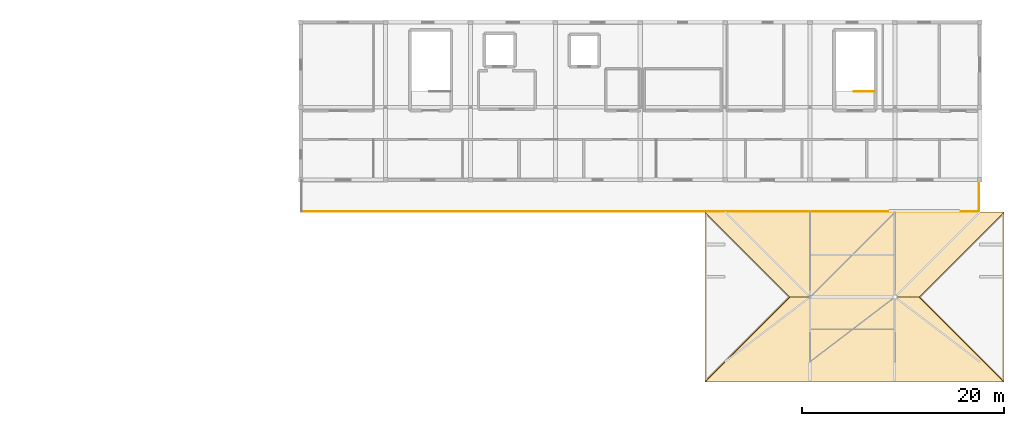
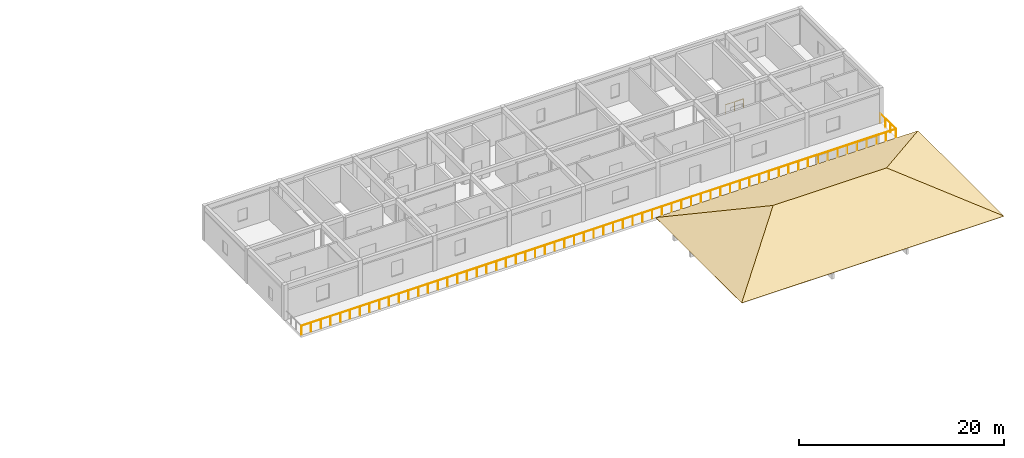
# One storey, part 22 of 22: 4 coverings, 2 railings, 1 element without a shape of its own.
"""IFC4 building model written with IfcOpenShell, lengths in metres."""

from ifc_helpers import new_model, si_unit, direction, frame, origin, origin_2d, place, context, subcontext, project, spatial, polyline, circle, outline, extrude, material, layer, layer_set, type_object, element, aggregate, save


model = new_model("IFC4")

# Units and contexts
model_context = context("Model", 3, precision=1e-05, world=origin(), true_north=direction((0.0, 1.0)))
body_context = subcontext(model_context, "Body", "Model", "MODEL_VIEW")
ifc_project = project(units=[si_unit("LENGTHUNIT", "METRE"), si_unit("AREAUNIT", "SQUARE_METRE"), si_unit("VOLUMEUNIT", "CUBIC_METRE"), si_unit("PLANEANGLEUNIT", "RADIAN"), si_unit("MASSUNIT", "GRAM", prefix="KILO")], contexts=[model_context])

# Site, building, storey
site_placement = place(None, origin())
site = spatial("IfcSite", under=ifc_project, at=site_placement, CompositionType="ELEMENT")
building_placement = place(site_placement, origin())
building = spatial("IfcBuilding", under=site, at=building_placement, Name="Varncliffe General Hospital", CompositionType="ELEMENT")
storey_placement = place(building_placement, frame((0.0, 0.0, 33.0)))
storey = spatial("IfcBuildingStorey", under=building, at=storey_placement, Name="L07", CompositionType="ELEMENT", Elevation=33.0)

# Railings
ifc_material_1 = material(Name="Powder-coated wrought-iron and bronze balustrade", Category="steel")
railing_type_1 = type_object("IfcRailingType", Name="Spanish Colonial Wrought-Iron Terrace Balustrade BL44", PredefinedType="BALUSTRADE", material=ifc_material_1)
railing_1_placement = place(storey_placement, frame((109.260009765625, 106.06005859375, 0.0)))
element("IfcRailing", 1, at=railing_1_placement, inside=storey, type_object=railing_type_1, Name="L07 East Step-3 Healing Roof Terrace Balustrade 14", PredefinedType="BALUSTRADE", context=body_context, shape_type="SweptSolid", body=[
    extrude(circle(Radius=0.02392578125, at=origin_2d()), frame((0.0, 0.0, 1.076171875), z_axis=(1.0, 0.0, 0.0), x_axis=(0.0, 1.0, 0.0)), (0.0, 0.0, 1.0), 67.080078125),
    extrude(circle(Radius=0.02392578125, at=origin_2d()), frame((67.080078125, 0.0, 1.076171875), z_axis=(0.0, 1.0, 0.0), x_axis=(-1.0, 0.0, 0.0)), (0.0, 0.0, 1.0), 3.06005859375),
    extrude(circle(Radius=0.02099609375, at=origin_2d()), origin(), (0.0, 0.0, 1.0), 1.052001953125),
    extrude(circle(Radius=0.02099609375, at=origin_2d()), frame((1.099609375, 0.0, 0.0)), (0.0, 0.0, 1.0), 1.052001953125),
    extrude(circle(Radius=0.02099609375, at=origin_2d()), frame((2.199462890625, 0.0, 0.0)), (0.0, 0.0, 1.0), 1.052001953125),
    extrude(circle(Radius=0.02099609375, at=origin_2d()), frame((3.299072265625, 0.0, 0.0)), (0.0, 0.0, 1.0), 1.052001953125),
    extrude(circle(Radius=0.02099609375, at=origin_2d()), frame((4.398681640625, 0.0, 0.0)), (0.0, 0.0, 1.0), 1.052001953125),
    extrude(circle(Radius=0.02099609375, at=origin_2d()), frame((5.498291015625, 0.0, 0.0)), (0.0, 0.0, 1.0), 1.052001953125),
    extrude(circle(Radius=0.02099609375, at=origin_2d()), frame((6.59814453125, 0.0, 0.0)), (0.0, 0.0, 1.0), 1.052001953125),
    extrude(circle(Radius=0.02099609375, at=origin_2d()), frame((7.69775390625, 0.0, 0.0)), (0.0, 0.0, 1.0), 1.052001953125),
    extrude(circle(Radius=0.02099609375, at=origin_2d()), frame((8.79736328125, 0.0, 0.0)), (0.0, 0.0, 1.0), 1.052001953125),
    extrude(circle(Radius=0.02099609375, at=origin_2d()), frame((9.89697265625, 0.0, 0.0)), (0.0, 0.0, 1.0), 1.052001953125),
    extrude(circle(Radius=0.02099609375, at=origin_2d()), frame((10.996826171875, 0.0, 0.0)), (0.0, 0.0, 1.0), 1.052001953125),
    extrude(circle(Radius=0.02099609375, at=origin_2d()), frame((12.096435546875, 0.0, 0.0)), (0.0, 0.0, 1.0), 1.052001953125),
    extrude(circle(Radius=0.02099609375, at=origin_2d()), frame((13.196044921875, 0.0, 0.0)), (0.0, 0.0, 1.0), 1.052001953125),
    extrude(circle(Radius=0.02099609375, at=origin_2d()), frame((14.295654296875, 0.0, 0.0)), (0.0, 0.0, 1.0), 1.052001953125),
    extrude(circle(Radius=0.02099609375, at=origin_2d()), frame((15.3955078125, 0.0, 0.0)), (0.0, 0.0, 1.0), 1.052001953125),
    extrude(circle(Radius=0.02099609375, at=origin_2d()), frame((16.4951171875, 0.0, 0.0)), (0.0, 0.0, 1.0), 1.052001953125),
    extrude(circle(Radius=0.02099609375, at=origin_2d()), frame((17.5947265625, 0.0, 0.0)), (0.0, 0.0, 1.0), 1.052001953125),
    extrude(circle(Radius=0.02099609375, at=origin_2d()), frame((18.6943359375, 0.0, 0.0)), (0.0, 0.0, 1.0), 1.052001953125),
    extrude(circle(Radius=0.02099609375, at=origin_2d()), frame((19.794189453125, 0.0, 0.0)), (0.0, 0.0, 1.0), 1.052001953125),
    extrude(circle(Radius=0.02099609375, at=origin_2d()), frame((20.893798828125, 0.0, 0.0)), (0.0, 0.0, 1.0), 1.052001953125),
    extrude(circle(Radius=0.02099609375, at=origin_2d()), frame((21.993408203125, 0.0, 0.0)), (0.0, 0.0, 1.0), 1.052001953125),
    extrude(circle(Radius=0.02099609375, at=origin_2d()), frame((23.09326171875, 0.0, 0.0)), (0.0, 0.0, 1.0), 1.052001953125),
    extrude(circle(Radius=0.02099609375, at=origin_2d()), frame((24.19287109375, 0.0, 0.0)), (0.0, 0.0, 1.0), 1.052001953125),
    extrude(circle(Radius=0.02099609375, at=origin_2d()), frame((25.29248046875, 0.0, 0.0)), (0.0, 0.0, 1.0), 1.052001953125),
    extrude(circle(Radius=0.02099609375, at=origin_2d()), frame((26.39208984375, 0.0, 0.0)), (0.0, 0.0, 1.0), 1.052001953125),
    extrude(circle(Radius=0.02099609375, at=origin_2d()), frame((27.491943359375, 0.0, 0.0)), (0.0, 0.0, 1.0), 1.052001953125),
    extrude(circle(Radius=0.02099609375, at=origin_2d()), frame((28.591552734375, 0.0, 0.0)), (0.0, 0.0, 1.0), 1.052001953125),
    extrude(circle(Radius=0.02099609375, at=origin_2d()), frame((29.691162109375, 0.0, 0.0)), (0.0, 0.0, 1.0), 1.052001953125),
    extrude(circle(Radius=0.02099609375, at=origin_2d()), frame((30.790771484375, 0.0, 0.0)), (0.0, 0.0, 1.0), 1.052001953125),
    extrude(circle(Radius=0.02099609375, at=origin_2d()), frame((31.890625, 0.0, 0.0)), (0.0, 0.0, 1.0), 1.052001953125),
    extrude(circle(Radius=0.02099609375, at=origin_2d()), frame((32.990234375, 0.0, 0.0)), (0.0, 0.0, 1.0), 1.052001953125),
    extrude(circle(Radius=0.02099609375, at=origin_2d()), frame((34.08984375, 0.0, 0.0)), (0.0, 0.0, 1.0), 1.052001953125),
    extrude(circle(Radius=0.02099609375, at=origin_2d()), frame((35.189453125, 0.0, 0.0)), (0.0, 0.0, 1.0), 1.052001953125),
    extrude(circle(Radius=0.02099609375, at=origin_2d()), frame((36.289306640625, 0.0, 0.0)), (0.0, 0.0, 1.0), 1.052001953125),
    extrude(circle(Radius=0.02099609375, at=origin_2d()), frame((37.388916015625, 0.0, 0.0)), (0.0, 0.0, 1.0), 1.052001953125),
    extrude(circle(Radius=0.02099609375, at=origin_2d()), frame((38.488525390625, 0.0, 0.0)), (0.0, 0.0, 1.0), 1.052001953125),
    extrude(circle(Radius=0.02099609375, at=origin_2d()), frame((39.588134765625, 0.0, 0.0)), (0.0, 0.0, 1.0), 1.052001953125),
    extrude(circle(Radius=0.02099609375, at=origin_2d()), frame((40.68798828125, 0.0, 0.0)), (0.0, 0.0, 1.0), 1.052001953125),
    extrude(circle(Radius=0.02099609375, at=origin_2d()), frame((41.78759765625, 0.0, 0.0)), (0.0, 0.0, 1.0), 1.052001953125),
    extrude(circle(Radius=0.02099609375, at=origin_2d()), frame((42.88720703125, 0.0, 0.0)), (0.0, 0.0, 1.0), 1.052001953125),
    extrude(circle(Radius=0.02099609375, at=origin_2d()), frame((43.98681640625, 0.0, 0.0)), (0.0, 0.0, 1.0), 1.052001953125),
    extrude(circle(Radius=0.02099609375, at=origin_2d()), frame((45.086669921875, 0.0, 0.0)), (0.0, 0.0, 1.0), 1.052001953125),
    extrude(circle(Radius=0.02099609375, at=origin_2d()), frame((46.186279296875, 0.0, 0.0)), (0.0, 0.0, 1.0), 1.052001953125),
    extrude(circle(Radius=0.02099609375, at=origin_2d()), frame((47.285888671875, 0.0, 0.0)), (0.0, 0.0, 1.0), 1.052001953125),
    extrude(circle(Radius=0.02099609375, at=origin_2d()), frame((48.3857421875, 0.0, 0.0)), (0.0, 0.0, 1.0), 1.052001953125),
    extrude(circle(Radius=0.02099609375, at=origin_2d()), frame((49.4853515625, 0.0, 0.0)), (0.0, 0.0, 1.0), 1.052001953125),
    extrude(circle(Radius=0.02099609375, at=origin_2d()), frame((50.5849609375, 0.0, 0.0)), (0.0, 0.0, 1.0), 1.052001953125),
    extrude(circle(Radius=0.02099609375, at=origin_2d()), frame((51.6845703125, 0.0, 0.0)), (0.0, 0.0, 1.0), 1.052001953125),
    extrude(circle(Radius=0.02099609375, at=origin_2d()), frame((52.784423828125, 0.0, 0.0)), (0.0, 0.0, 1.0), 1.052001953125),
    extrude(circle(Radius=0.02099609375, at=origin_2d()), frame((53.884033203125, 0.0, 0.0)), (0.0, 0.0, 1.0), 1.052001953125),
    extrude(circle(Radius=0.02099609375, at=origin_2d()), frame((54.983642578125, 0.0, 0.0)), (0.0, 0.0, 1.0), 1.052001953125),
    extrude(circle(Radius=0.02099609375, at=origin_2d()), frame((56.083251953125, 0.0, 0.0)), (0.0, 0.0, 1.0), 1.052001953125),
    extrude(circle(Radius=0.02099609375, at=origin_2d()), frame((57.18310546875, 0.0, 0.0)), (0.0, 0.0, 1.0), 1.052001953125),
    extrude(circle(Radius=0.02099609375, at=origin_2d()), frame((58.28271484375, 0.0, 0.0)), (0.0, 0.0, 1.0), 1.052001953125),
    extrude(circle(Radius=0.02099609375, at=origin_2d()), frame((59.38232421875, 0.0, 0.0)), (0.0, 0.0, 1.0), 1.052001953125),
    extrude(circle(Radius=0.02099609375, at=origin_2d()), frame((60.48193359375, 0.0, 0.0)), (0.0, 0.0, 1.0), 1.052001953125),
    extrude(circle(Radius=0.02099609375, at=origin_2d()), frame((61.581787109375, 0.0, 0.0)), (0.0, 0.0, 1.0), 1.052001953125),
    extrude(circle(Radius=0.02099609375, at=origin_2d()), frame((62.681396484375, 0.0, 0.0)), (0.0, 0.0, 1.0), 1.052001953125),
    extrude(circle(Radius=0.02099609375, at=origin_2d()), frame((63.781005859375, 0.0, 0.0)), (0.0, 0.0, 1.0), 1.052001953125),
    extrude(circle(Radius=0.02099609375, at=origin_2d()), frame((64.880615234375, 0.0, 0.0)), (0.0, 0.0, 1.0), 1.052001953125),
    extrude(circle(Radius=0.02099609375, at=origin_2d()), frame((65.98046875, 0.0, 0.0)), (0.0, 0.0, 1.0), 1.052001953125),
    extrude(circle(Radius=0.02099609375, at=origin_2d()), frame((67.080078125, 0.0, 0.0)), (0.0, 0.0, 1.0), 1.052001953125),
    extrude(circle(Radius=0.02099609375, at=origin_2d()), frame((67.080078125, 1.02001953125, 0.0)), (0.0, 0.0, 1.0), 1.052001953125),
    extrude(circle(Radius=0.02099609375, at=origin_2d()), frame((67.080078125, 2.0400390625, 0.0)), (0.0, 0.0, 1.0), 1.052001953125),
    extrude(circle(Radius=0.02099609375, at=origin_2d()), frame((67.080078125, 3.06005859375, 0.0)), (0.0, 0.0, 1.0), 1.052001953125),
])
ifc_material_2 = material(Name="Powder-coated hospital steel guardrail and handrail", Category="steel")
railing_type_2 = type_object("IfcRailingType", Name="Stairwell Guardrail SG49", PredefinedType="GUARDRAIL", material=ifc_material_2)
railing_2_placement = place(storey_placement, frame((166.0, 117.949951171875, 0.0)))
element("IfcRailing", 2, at=railing_2_placement, inside=storey, type_object=railing_type_2, Name="L07 ST04 top well guard 1", PredefinedType="GUARDRAIL", context=body_context, shape_type="SweptSolid", body=[
    extrude(circle(Radius=0.02392578125, at=origin_2d()), frame((0.0, 0.0, 1.076171875), z_axis=(-1.0, 0.0, 0.0), x_axis=(0.0, -1.0, 0.0)), (0.0, 0.0, 1.0), 2.050048828125),
    extrude(circle(Radius=0.02099609375, at=origin_2d()), origin(), (0.0, 0.0, 1.0), 1.052001953125),
    extrude(circle(Radius=0.02099609375, at=origin_2d()), frame((-1.02490234375, 0.0, 0.0)), (0.0, 0.0, 1.0), 1.052001953125),
    extrude(circle(Radius=0.02099609375, at=origin_2d()), frame((-2.050048828125, 0.0, 0.0)), (0.0, 0.0, 1.0), 1.052001953125),
])

# Roof, coverings
ifc_material_3 = material(Name="Terracotta clay roof tile over waterproof membrane", Category="masonry")
roof_type = type_object("IfcRoofType", Name="Hipped Clay-Tile Roof Assembly HR20", PredefinedType="HIP_ROOF", material=ifc_material_3)
roof_placement = place(storey_placement, origin())
roof = element("IfcRoof", 3, at=roof_placement, inside=storey, type_object=roof_type, Name="L07 Hipped Roof RF-V6-SE2", PredefinedType="HIP_ROOF")
ifc_layer = layer(ifc_material_3, 0.044921875)
ifc_layer_set = layer_set([ifc_layer], Name="Terracotta clay roof tile over waterproof membrane")
covering_type = type_object("IfcCoveringType", Name="Terracotta Clay Tile Roofing RFG24", PredefinedType="ROOFING", material=ifc_layer_set)
covering_1_placement = place(storey_placement, frame((149.199951171875, 89.199951171875, 0.044921875), z_axis=(0.0, -0.393922522663, 0.919143648261), x_axis=(1.0, 0.0, 0.0)))
covering_1 = element("IfcCovering", 4, at=covering_1_placement, type_object=covering_type, Name="L07 RF-V6-SE2 Terracotta Clay Tile Slope S", PredefinedType="ROOFING", context=body_context, shape_type="SweptSolid", body=[
    extrude(outline(polyline([(0.0, 0.0), (29.60009765625, 0.0), (21.199951171875, 9.13910083615967), (8.400146484375, 9.13910083615967), (0.0, 0.0)])), origin(), (0.0, 0.0, -1.0), 0.044921875),
])
covering_2_placement = place(storey_placement, frame((178.800048828125, 106.0, 0.044921875), z_axis=(0.0, 0.393932195201, 0.919139502787), x_axis=(-1.0, 0.0, 0.0)))
covering_2 = element("IfcCovering", 5, at=covering_2_placement, type_object=covering_type, Name="L07 RF-V6-SE2 Terracotta Clay Tile Slope N", PredefinedType="ROOFING", context=body_context, shape_type="SweptSolid", body=[
    extrude(outline(polyline([(0.0, 0.0), (29.60009765625, 0.0), (21.199951171875, 9.138876436360952), (8.400146484375, 9.138876436360952), (0.0, 0.0)])), origin(), (0.0, 0.0, -1.0), 0.044921875),
])
covering_3_placement = place(storey_placement, frame((149.199951171875, 106.0, 0.044921875), z_axis=(-0.393922522663, 0.0, 0.919143648261), x_axis=(0.0, -1.0, 0.0)))
covering_3 = element("IfcCovering", 6, at=covering_3_placement, type_object=covering_type, Name="L07 RF-V6-SE2 Terracotta Clay Tile Slope W", PredefinedType="ROOFING", context=body_context, shape_type="SweptSolid", body=[
    extrude(outline(polyline([(0.0, 0.0), (16.800048828125, 0.0), (8.39990234375, 9.13910083615967), (0.0, 0.0)])), origin(), (0.0, 0.0, -1.0), 0.044921875),
])
covering_4_placement = place(storey_placement, frame((178.800048828125, 89.199951171875, 0.044921875), z_axis=(0.393922522663, 0.0, 0.919143648261), x_axis=(0.0, 1.0, 0.0)))
covering_4 = element("IfcCovering", 7, at=covering_4_placement, type_object=covering_type, Name="L07 RF-V6-SE2 Terracotta Clay Tile Slope E", PredefinedType="ROOFING", context=body_context, shape_type="SweptSolid", body=[
    extrude(outline(polyline([(0.0, 0.0), (16.800048828125, 0.0), (8.400146484375, 9.13910083615967), (0.0, 0.0)])), origin(), (0.0, 0.0, -1.0), 0.044921875),
])
aggregate(roof, [covering_1, covering_2, covering_3, covering_4])

save(model, "model.ifc")
